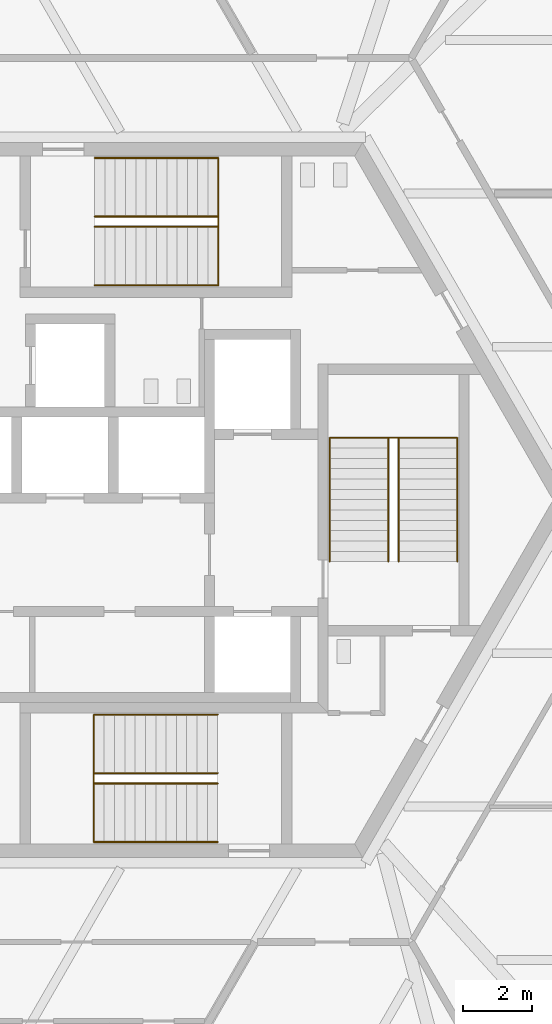
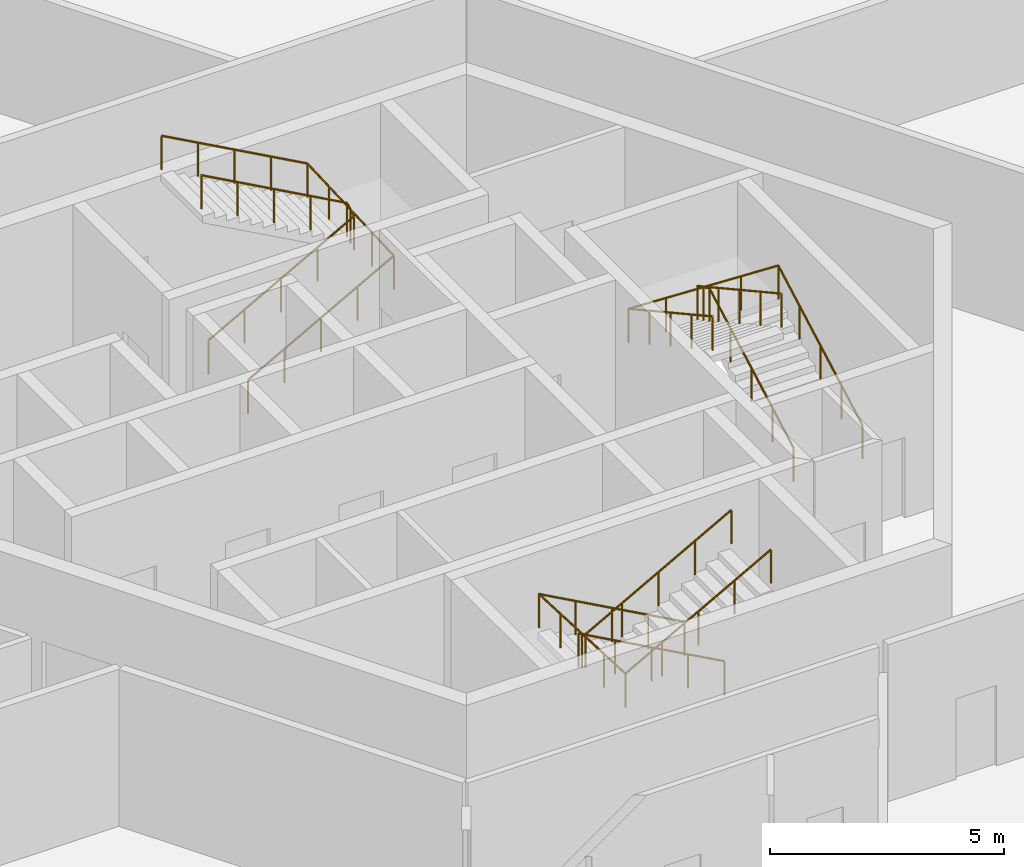
# One storey, part 14 of 15: 6 railings.
"""IFC4 building model written with IfcOpenShell, lengths in metres."""

from ifc_helpers import new_model, si_unit, direction, frame, origin, origin_2d, place, context, subcontext, project, spatial, circle, extrude, source, transform, mapped, material, type_object, element, save


model = new_model("IFC4")

# Units and contexts
model_context = context("Model", 3, precision=1e-05, world=origin(), true_north=direction((0.0, 1.0)))
body_context = subcontext(model_context, "Body", "Model", "MODEL_VIEW")
ifc_project = project(units=[si_unit("LENGTHUNIT", "METRE"), si_unit("AREAUNIT", "SQUARE_METRE"), si_unit("VOLUMEUNIT", "CUBIC_METRE"), si_unit("PLANEANGLEUNIT", "RADIAN"), si_unit("MASSUNIT", "GRAM", prefix="KILO")], contexts=[model_context])

# Site, building, storey
site_placement = place(None, origin())
site = spatial("IfcSite", under=ifc_project, at=site_placement, CompositionType="ELEMENT")
building_placement = place(site_placement, origin())
building = spatial("IfcBuilding", under=site, at=building_placement, Name="Triune Harvest Tower", CompositionType="ELEMENT")
storey_placement = place(building_placement, frame((0.0, 0.0, 28.89990234375)))
storey = spatial("IfcBuildingStorey", under=building, at=storey_placement, Name="L06", CompositionType="ELEMENT", Elevation=28.89990234375)

# Railings
ifc_material = material(Name="Stainless steel AISI 316", Category="steel")
railing_type = type_object("IfcRailingType", Name="Stair handrail", PredefinedType="HANDRAIL", material=ifc_material)
shared_shape_1 = source(origin(), body_context, "Body", "SweptSolid", [
    extrude(circle(Radius=0.02392578125, at=origin_2d()), frame((0.0, 0.0, 0.8759765625), z_axis=(0.875746539262, 0.0, 0.482771166259), x_axis=(0.0, 1.0, 0.0)), (0.0, 0.0, 1.0), 4.11083984375),
    extrude(circle(Radius=0.02392578125, at=origin_2d()), frame((3.60009765625, 0.0, 2.8603515625), z_axis=(0.0, 0.999003709343, 0.04462721948), x_axis=(-1.0, 0.0, 0.0)), (0.0, 0.0, 1.0), 3.70361328125),
    extrude(circle(Radius=0.02392578125, at=origin_2d()), frame((3.60009765625, 3.699951171875, 3.02587890625), z_axis=(-0.875746539262, 0.0, 0.482771166259), x_axis=(0.0, -1.0, 0.0)), (0.0, 0.0, 1.0), 4.11083984375),
    extrude(circle(Radius=0.02099609375, at=origin_2d()), origin(), (0.0, 0.0, 1.0), 0.851806640625),
    extrude(circle(Radius=0.02099609375, at=origin_2d()), frame((0.89990234375, 0.0, 0.49609375)), (0.0, 0.0, 1.0), 0.851806640625),
    extrude(circle(Radius=0.02099609375, at=origin_2d()), frame((1.800048828125, 0.0, 0.9921875)), (0.0, 0.0, 1.0), 0.851806640625),
    extrude(circle(Radius=0.02099609375, at=origin_2d()), frame((2.7001953125, 0.0, 1.488525390625)), (0.0, 0.0, 1.0), 0.851806640625),
    extrude(circle(Radius=0.02099609375, at=origin_2d()), frame((3.60009765625, 0.0, 1.984619140625)), (0.0, 0.0, 1.0), 0.851806640625),
    extrude(circle(Radius=0.02099609375, at=origin_2d()), frame((3.60009765625, 0.925048828125, 2.02587890625)), (0.0, 0.0, 1.0), 0.851806640625),
    extrude(circle(Radius=0.02099609375, at=origin_2d()), frame((3.60009765625, 1.85009765625, 2.0673828125)), (0.0, 0.0, 1.0), 0.851806640625),
    extrude(circle(Radius=0.02099609375, at=origin_2d()), frame((3.60009765625, 2.77490234375, 2.108642578125)), (0.0, 0.0, 1.0), 0.851806640625),
    extrude(circle(Radius=0.02099609375, at=origin_2d()), frame((3.60009765625, 3.699951171875, 2.14990234375)), (0.0, 0.0, 1.0), 0.851806640625),
    extrude(circle(Radius=0.02099609375, at=origin_2d()), frame((2.7001953125, 3.699951171875, 2.64599609375)), (0.0, 0.0, 1.0), 0.851806640625),
    extrude(circle(Radius=0.02099609375, at=origin_2d()), frame((1.800048828125, 3.699951171875, 3.14208984375)), (0.0, 0.0, 1.0), 0.851806640625),
    extrude(circle(Radius=0.02099609375, at=origin_2d()), frame((0.89990234375, 3.699951171875, 3.638427734375)), (0.0, 0.0, 1.0), 0.851806640625),
    extrude(circle(Radius=0.02099609375, at=origin_2d()), frame((0.0, 3.699951171875, 4.134521484375)), (0.0, 0.0, 1.0), 0.851806640625),
])
railing_1_placement = place(storey_placement, frame((-1.7900390625, 6.239990234375, 0.16552734375)))
element("IfcRailing", 1, at=railing_1_placement, inside=storey, type_object=railing_type, Name="Exit stair north wall handrail", PredefinedType="HANDRAIL", context=body_context, shape_type="MappedRepresentation", body=[
    mapped(shared_shape_1, transform((0.0, 0.0, 0.0), scale=1.0)),
])
shared_shape_2 = source(origin(), body_context, "Body", "SweptSolid", [
    extrude(circle(Radius=0.02392578125, at=origin_2d()), frame((0.0, 0.0, 0.8759765625), z_axis=(0.875746539262, 0.0, 0.482771166259), x_axis=(0.0, 1.0, 0.0)), (0.0, 0.0, 1.0), 4.11083984375),
    extrude(circle(Radius=0.02392578125, at=origin_2d()), frame((3.60009765625, 0.0, 2.8603515625), z_axis=(0.0, 0.875899727824, 0.48249317798), x_axis=(-1.0, 0.0, 0.0)), (0.0, 0.0, 1.0), 0.342529296875),
    extrude(circle(Radius=0.02392578125, at=origin_2d()), frame((3.60009765625, 0.300048828125, 3.02587890625), z_axis=(-0.875746539262, 0.0, 0.482771166259), x_axis=(0.0, -1.0, 0.0)), (0.0, 0.0, 1.0), 4.11083984375),
    extrude(circle(Radius=0.02099609375, at=origin_2d()), origin(), (0.0, 0.0, 1.0), 0.851806640625),
    extrude(circle(Radius=0.02099609375, at=origin_2d()), frame((0.89990234375, 0.0, 0.49609375)), (0.0, 0.0, 1.0), 0.851806640625),
    extrude(circle(Radius=0.02099609375, at=origin_2d()), frame((1.800048828125, 0.0, 0.9921875)), (0.0, 0.0, 1.0), 0.851806640625),
    extrude(circle(Radius=0.02099609375, at=origin_2d()), frame((2.7001953125, 0.0, 1.488525390625)), (0.0, 0.0, 1.0), 0.851806640625),
    extrude(circle(Radius=0.02099609375, at=origin_2d()), frame((3.60009765625, 0.0, 1.984619140625)), (0.0, 0.0, 1.0), 0.851806640625),
    extrude(circle(Radius=0.02099609375, at=origin_2d()), frame((3.60009765625, 0.300048828125, 2.14990234375)), (0.0, 0.0, 1.0), 0.851806640625),
    extrude(circle(Radius=0.02099609375, at=origin_2d()), frame((2.7001953125, 0.300048828125, 2.64599609375)), (0.0, 0.0, 1.0), 0.851806640625),
    extrude(circle(Radius=0.02099609375, at=origin_2d()), frame((1.800048828125, 0.300048828125, 3.14208984375)), (0.0, 0.0, 1.0), 0.851806640625),
    extrude(circle(Radius=0.02099609375, at=origin_2d()), frame((0.89990234375, 0.300048828125, 3.638427734375)), (0.0, 0.0, 1.0), 0.851806640625),
    extrude(circle(Radius=0.02099609375, at=origin_2d()), frame((0.0, 0.300048828125, 4.134521484375)), (0.0, 0.0, 1.0), 0.851806640625),
])
railing_2_placement = place(storey_placement, frame((-1.7900390625, 7.93994140625, 0.16552734375)))
element("IfcRailing", 2, at=railing_2_placement, inside=storey, type_object=railing_type, Name="Exit stair north centre handrail", PredefinedType="HANDRAIL", context=body_context, shape_type="MappedRepresentation", body=[
    mapped(shared_shape_2, transform((0.0, 0.0, 0.0), scale=1.0)),
])
shared_shape_3 = source(origin(), body_context, "Body", "SweptSolid", [
    extrude(circle(Radius=0.02392578125, at=origin_2d()), frame((0.0, 0.0, 0.8759765625), z_axis=(-0.875746539262, 0.0, 0.482771166259), x_axis=(0.0, -1.0, 0.0)), (0.0, 0.0, 1.0), 4.11083984375),
    extrude(circle(Radius=0.02392578125, at=origin_2d()), frame((-3.60009765625, 0.0, 2.8603515625), z_axis=(0.0, -0.999003709343, 0.04462721948), x_axis=(1.0, 0.0, 0.0)), (0.0, 0.0, 1.0), 3.70361328125),
    extrude(circle(Radius=0.02392578125, at=origin_2d()), frame((-3.60009765625, -3.699951171875, 3.02587890625), z_axis=(0.875746539262, 0.0, 0.482771166259), x_axis=(0.0, 1.0, 0.0)), (0.0, 0.0, 1.0), 4.11083984375),
    extrude(circle(Radius=0.02099609375, at=origin_2d()), origin(), (0.0, 0.0, 1.0), 0.851806640625),
    extrude(circle(Radius=0.02099609375, at=origin_2d()), frame((-0.89990234375, 0.0, 0.49609375)), (0.0, 0.0, 1.0), 0.851806640625),
    extrude(circle(Radius=0.02099609375, at=origin_2d()), frame((-1.800048828125, 0.0, 0.9921875)), (0.0, 0.0, 1.0), 0.851806640625),
    extrude(circle(Radius=0.02099609375, at=origin_2d()), frame((-2.7001953125, 0.0, 1.488525390625)), (0.0, 0.0, 1.0), 0.851806640625),
    extrude(circle(Radius=0.02099609375, at=origin_2d()), frame((-3.60009765625, 0.0, 1.984619140625)), (0.0, 0.0, 1.0), 0.851806640625),
    extrude(circle(Radius=0.02099609375, at=origin_2d()), frame((-3.60009765625, -0.925048828125, 2.02587890625)), (0.0, 0.0, 1.0), 0.851806640625),
    extrude(circle(Radius=0.02099609375, at=origin_2d()), frame((-3.60009765625, -1.85009765625, 2.0673828125)), (0.0, 0.0, 1.0), 0.851806640625),
    extrude(circle(Radius=0.02099609375, at=origin_2d()), frame((-3.60009765625, -2.77490234375, 2.108642578125)), (0.0, 0.0, 1.0), 0.851806640625),
    extrude(circle(Radius=0.02099609375, at=origin_2d()), frame((-3.60009765625, -3.699951171875, 2.14990234375)), (0.0, 0.0, 1.0), 0.851806640625),
    extrude(circle(Radius=0.02099609375, at=origin_2d()), frame((-2.7001953125, -3.699951171875, 2.64599609375)), (0.0, 0.0, 1.0), 0.851806640625),
    extrude(circle(Radius=0.02099609375, at=origin_2d()), frame((-1.800048828125, -3.699951171875, 3.14208984375)), (0.0, 0.0, 1.0), 0.851806640625),
    extrude(circle(Radius=0.02099609375, at=origin_2d()), frame((-0.89990234375, -3.699951171875, 3.638427734375)), (0.0, 0.0, 1.0), 0.851806640625),
    extrude(circle(Radius=0.02099609375, at=origin_2d()), frame((0.0, -3.699951171875, 4.134521484375)), (0.0, 0.0, 1.0), 0.851806640625),
])
railing_3_placement = place(storey_placement, frame((1.7900390625, -6.239990234375, 0.16552734375)))
element("IfcRailing", 3, at=railing_3_placement, inside=storey, type_object=railing_type, Name="Exit stair south wall handrail", PredefinedType="HANDRAIL", context=body_context, shape_type="MappedRepresentation", body=[
    mapped(shared_shape_3, transform((0.0, 0.0, 0.0), scale=1.0)),
])
shared_shape_4 = source(origin(), body_context, "Body", "SweptSolid", [
    extrude(circle(Radius=0.02392578125, at=origin_2d()), frame((0.0, 0.0, 0.8759765625), z_axis=(-0.875746539262, 0.0, 0.482771166259), x_axis=(0.0, -1.0, 0.0)), (0.0, 0.0, 1.0), 4.11083984375),
    extrude(circle(Radius=0.02392578125, at=origin_2d()), frame((-3.60009765625, 0.0, 2.8603515625), z_axis=(0.0, -0.875899727824, 0.48249317798), x_axis=(1.0, 0.0, 0.0)), (0.0, 0.0, 1.0), 0.342529296875),
    extrude(circle(Radius=0.02392578125, at=origin_2d()), frame((-3.60009765625, -0.300048828125, 3.02587890625), z_axis=(0.875746539262, 0.0, 0.482771166259), x_axis=(0.0, 1.0, 0.0)), (0.0, 0.0, 1.0), 4.11083984375),
    extrude(circle(Radius=0.02099609375, at=origin_2d()), origin(), (0.0, 0.0, 1.0), 0.851806640625),
    extrude(circle(Radius=0.02099609375, at=origin_2d()), frame((-0.89990234375, 0.0, 0.49609375)), (0.0, 0.0, 1.0), 0.851806640625),
    extrude(circle(Radius=0.02099609375, at=origin_2d()), frame((-1.800048828125, 0.0, 0.9921875)), (0.0, 0.0, 1.0), 0.851806640625),
    extrude(circle(Radius=0.02099609375, at=origin_2d()), frame((-2.7001953125, 0.0, 1.488525390625)), (0.0, 0.0, 1.0), 0.851806640625),
    extrude(circle(Radius=0.02099609375, at=origin_2d()), frame((-3.60009765625, 0.0, 1.984619140625)), (0.0, 0.0, 1.0), 0.851806640625),
    extrude(circle(Radius=0.02099609375, at=origin_2d()), frame((-3.60009765625, -0.300048828125, 2.14990234375)), (0.0, 0.0, 1.0), 0.851806640625),
    extrude(circle(Radius=0.02099609375, at=origin_2d()), frame((-2.7001953125, -0.300048828125, 2.64599609375)), (0.0, 0.0, 1.0), 0.851806640625),
    extrude(circle(Radius=0.02099609375, at=origin_2d()), frame((-1.800048828125, -0.300048828125, 3.14208984375)), (0.0, 0.0, 1.0), 0.851806640625),
    extrude(circle(Radius=0.02099609375, at=origin_2d()), frame((-0.89990234375, -0.300048828125, 3.638427734375)), (0.0, 0.0, 1.0), 0.851806640625),
    extrude(circle(Radius=0.02099609375, at=origin_2d()), frame((0.0, -0.300048828125, 4.134521484375)), (0.0, 0.0, 1.0), 0.851806640625),
])
railing_4_placement = place(storey_placement, frame((1.7900390625, -7.93994140625, 0.16552734375)))
element("IfcRailing", 4, at=railing_4_placement, inside=storey, type_object=railing_type, Name="Exit stair south centre handrail", PredefinedType="HANDRAIL", context=body_context, shape_type="MappedRepresentation", body=[
    mapped(shared_shape_4, transform((0.0, 0.0, 0.0), scale=1.0)),
])
shared_shape_5 = source(origin(), body_context, "Body", "SweptSolid", [
    extrude(circle(Radius=0.02392578125, at=origin_2d()), frame((0.0, 0.0, 0.8759765625), z_axis=(0.0, 0.875746539262, 0.482771166259), x_axis=(-1.0, 0.0, 0.0)), (0.0, 0.0, 1.0), 4.11083984375),
    extrude(circle(Radius=0.02392578125, at=origin_2d()), frame((0.0, 3.60009765625, 2.8603515625), z_axis=(-0.999003709343, 0.0, 0.04462721948), x_axis=(0.0, -1.0, 0.0)), (0.0, 0.0, 1.0), 3.70361328125),
    extrude(circle(Radius=0.02392578125, at=origin_2d()), frame((-3.699951171875, 3.60009765625, 3.02587890625), z_axis=(0.0, -0.875746539262, 0.482771166259), x_axis=(1.0, 0.0, 0.0)), (0.0, 0.0, 1.0), 4.11083984375),
    extrude(circle(Radius=0.02099609375, at=origin_2d()), origin(), (0.0, 0.0, 1.0), 0.851806640625),
    extrude(circle(Radius=0.02099609375, at=origin_2d()), frame((0.0, 0.89990234375, 0.49609375)), (0.0, 0.0, 1.0), 0.851806640625),
    extrude(circle(Radius=0.02099609375, at=origin_2d()), frame((0.0, 1.800048828125, 0.9921875)), (0.0, 0.0, 1.0), 0.851806640625),
    extrude(circle(Radius=0.02099609375, at=origin_2d()), frame((0.0, 2.7001953125, 1.488525390625)), (0.0, 0.0, 1.0), 0.851806640625),
    extrude(circle(Radius=0.02099609375, at=origin_2d()), frame((0.0, 3.60009765625, 1.984619140625)), (0.0, 0.0, 1.0), 0.851806640625),
    extrude(circle(Radius=0.02099609375, at=origin_2d()), frame((-0.925048828125, 3.60009765625, 2.02587890625)), (0.0, 0.0, 1.0), 0.851806640625),
    extrude(circle(Radius=0.02099609375, at=origin_2d()), frame((-1.85009765625, 3.60009765625, 2.0673828125)), (0.0, 0.0, 1.0), 0.851806640625),
    extrude(circle(Radius=0.02099609375, at=origin_2d()), frame((-2.77490234375, 3.60009765625, 2.108642578125)), (0.0, 0.0, 1.0), 0.851806640625),
    extrude(circle(Radius=0.02099609375, at=origin_2d()), frame((-3.699951171875, 3.60009765625, 2.14990234375)), (0.0, 0.0, 1.0), 0.851806640625),
    extrude(circle(Radius=0.02099609375, at=origin_2d()), frame((-3.699951171875, 2.7001953125, 2.64599609375)), (0.0, 0.0, 1.0), 0.851806640625),
    extrude(circle(Radius=0.02099609375, at=origin_2d()), frame((-3.699951171875, 1.800048828125, 3.14208984375)), (0.0, 0.0, 1.0), 0.851806640625),
    extrude(circle(Radius=0.02099609375, at=origin_2d()), frame((-3.699951171875, 0.89990234375, 3.638427734375)), (0.0, 0.0, 1.0), 0.851806640625),
    extrude(circle(Radius=0.02099609375, at=origin_2d()), frame((-3.699951171875, 0.0, 4.134521484375)), (0.0, 0.0, 1.0), 0.851806640625),
])
railing_5_placement = place(storey_placement, frame((8.75, -1.7900390625, 0.16552734375)))
element("IfcRailing", 5, at=railing_5_placement, inside=storey, type_object=railing_type, Name="Exit stair east wall handrail", PredefinedType="HANDRAIL", context=body_context, shape_type="MappedRepresentation", body=[
    mapped(shared_shape_5, transform((0.0, 0.0, 0.0), scale=1.0)),
])
shared_shape_6 = source(origin(), body_context, "Body", "SweptSolid", [
    extrude(circle(Radius=0.02392578125, at=origin_2d()), frame((0.0, 0.0, 0.8759765625), z_axis=(0.0, 0.875746539262, 0.482771166259), x_axis=(-1.0, 0.0, 0.0)), (0.0, 0.0, 1.0), 4.11083984375),
    extrude(circle(Radius=0.02392578125, at=origin_2d()), frame((0.0, 3.60009765625, 2.8603515625), z_axis=(-0.875899727824, 0.0, 0.48249317798), x_axis=(0.0, -1.0, 0.0)), (0.0, 0.0, 1.0), 0.342529296875),
    extrude(circle(Radius=0.02392578125, at=origin_2d()), frame((-0.300048828125, 3.60009765625, 3.02587890625), z_axis=(0.0, -0.875746539262, 0.482771166259), x_axis=(1.0, 0.0, 0.0)), (0.0, 0.0, 1.0), 4.11083984375),
    extrude(circle(Radius=0.02099609375, at=origin_2d()), origin(), (0.0, 0.0, 1.0), 0.851806640625),
    extrude(circle(Radius=0.02099609375, at=origin_2d()), frame((0.0, 0.89990234375, 0.49609375)), (0.0, 0.0, 1.0), 0.851806640625),
    extrude(circle(Radius=0.02099609375, at=origin_2d()), frame((0.0, 1.800048828125, 0.9921875)), (0.0, 0.0, 1.0), 0.851806640625),
    extrude(circle(Radius=0.02099609375, at=origin_2d()), frame((0.0, 2.7001953125, 1.488525390625)), (0.0, 0.0, 1.0), 0.851806640625),
    extrude(circle(Radius=0.02099609375, at=origin_2d()), frame((0.0, 3.60009765625, 1.984619140625)), (0.0, 0.0, 1.0), 0.851806640625),
    extrude(circle(Radius=0.02099609375, at=origin_2d()), frame((-0.300048828125, 3.60009765625, 2.14990234375)), (0.0, 0.0, 1.0), 0.851806640625),
    extrude(circle(Radius=0.02099609375, at=origin_2d()), frame((-0.300048828125, 2.7001953125, 2.64599609375)), (0.0, 0.0, 1.0), 0.851806640625),
    extrude(circle(Radius=0.02099609375, at=origin_2d()), frame((-0.300048828125, 1.800048828125, 3.14208984375)), (0.0, 0.0, 1.0), 0.851806640625),
    extrude(circle(Radius=0.02099609375, at=origin_2d()), frame((-0.300048828125, 0.89990234375, 3.638427734375)), (0.0, 0.0, 1.0), 0.851806640625),
    extrude(circle(Radius=0.02099609375, at=origin_2d()), frame((-0.300048828125, 0.0, 4.134521484375)), (0.0, 0.0, 1.0), 0.851806640625),
])
railing_6_placement = place(storey_placement, frame((7.050048828125, -1.7900390625, 0.16552734375)))
element("IfcRailing", 6, at=railing_6_placement, inside=storey, type_object=railing_type, Name="Exit stair east centre handrail", PredefinedType="HANDRAIL", context=body_context, shape_type="MappedRepresentation", body=[
    mapped(shared_shape_6, transform((0.0, 0.0, 0.0), scale=1.0)),
])

save(model, "model.ifc")
